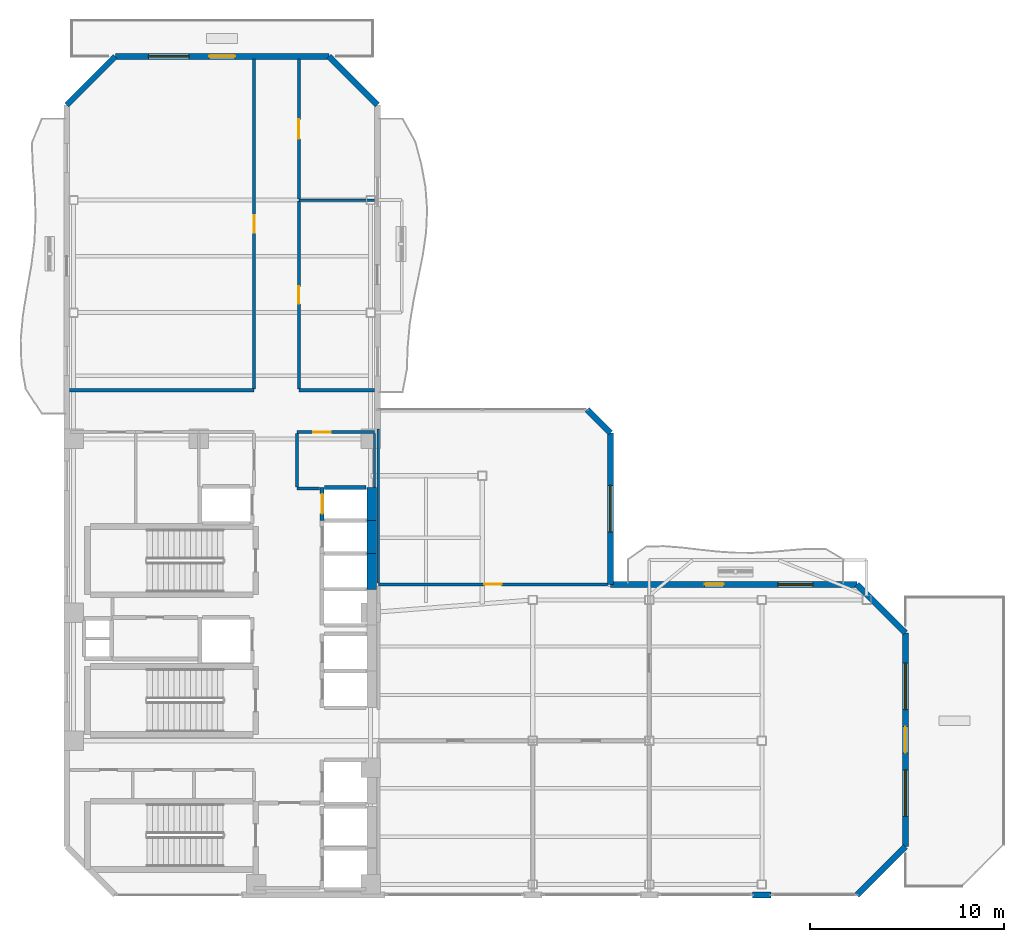
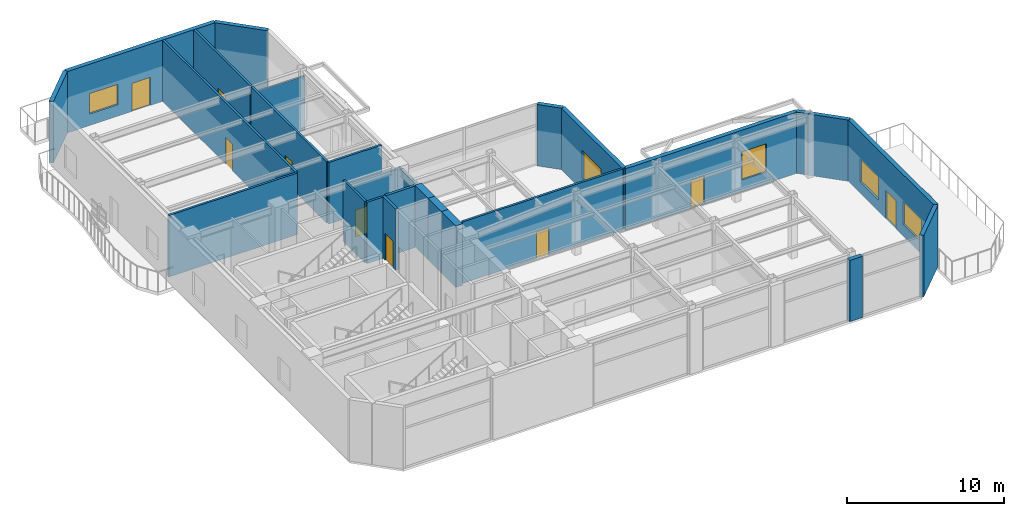
# One storey, part 12 of 16: 27 walls, 9 doors, 5 windows, 14 openings.
"""IFC4 building model written with IfcOpenShell, lengths in metres."""

from ifc_helpers import new_model, si_unit, direction, frame, frame_2d, origin, place, context, subcontext, project, spatial, rectangle, extrude, material, layer, layer_set, type_object, element, fill, save


model = new_model("IFC4")

# Units and contexts
model_context = context("Model", 3, precision=1e-05, world=origin(), true_north=direction((0.0, 1.0)))
body_context = subcontext(model_context, "Body", "Model", "MODEL_VIEW")
ifc_project = project(units=[si_unit("LENGTHUNIT", "METRE"), si_unit("AREAUNIT", "SQUARE_METRE"), si_unit("VOLUMEUNIT", "CUBIC_METRE"), si_unit("PLANEANGLEUNIT", "RADIAN"), si_unit("MASSUNIT", "GRAM", prefix="KILO")], contexts=[model_context])

# Site, building, storey
site_placement = place(None, origin())
site = spatial("IfcSite", under=ifc_project, at=site_placement, CompositionType="ELEMENT")
building_placement = place(site_placement, origin())
building = spatial("IfcBuilding", under=site, at=building_placement, Name="Mawjaban Terraces University", CompositionType="ELEMENT")
storey_placement = place(building_placement, frame((0.0, 0.0, 170.800048828125)))
storey = spatial("IfcBuildingStorey", under=building, at=storey_placement, Name="L41", CompositionType="ELEMENT", Elevation=170.800048828125)

# Walls
ifc_material_1 = material(Name="Concrete C60/75", Category="concrete")
ifc_layer_1 = layer(ifc_material_1, 0.5)
ifc_layer_set_1 = layer_set([ifc_layer_1], Name="Concrete C60/75")
wall_type_1 = type_object("IfcWallType", Name="CoreShearWall_500", PredefinedType="SHEAR", material=ifc_layer_set_1)
wall_1_placement = place(storey_placement, frame((37.699951171875, 15.75, 0.0), z_axis=(0.0, 0.0, 1.0), x_axis=(0.0, 1.0, 0.0)))
element("IfcWall", 1, at=wall_1_placement, inside=storey, type_object=wall_type_1, Name="L41 Lift OL-2 Hoistway Wall East", PredefinedType="SHEAR", context=body_context, shape_type="SweptSolid", body=[
    extrude(rectangle(XDim=1.85009765625, YDim=0.5, at=frame_2d((0.925048828125, 0.0))), origin(), (0.0, 0.0, 1.0), 4.7900390625),
])
for number, where, z_axis, x_axis, name in (
    (2, (37.699951171875, 17.60009765625, 0.0), (0.0, 0.0, 1.0), (0.0, 1.0, 0.0), "L41 Lift PL-M1 Hoistway Wall East"),
    (3, (37.699951171875, 19.300048828125, 0.0), (0.0, 0.0, 1.0), (0.0, 1.0, 0.0), "L41 Lift PL-M2 Hoistway Wall East"),
):
    element("IfcWall", number, at=place(storey_placement, frame(where, z_axis=z_axis, x_axis=x_axis)), inside=storey, type_object=wall_type_1, Name=name, PredefinedType="SHEAR", context=body_context, shape_type="SweptSolid", body=[
        extrude(rectangle(XDim=1.699951171875, YDim=0.5, at=frame_2d((0.85009765625, 0.0))), origin(), (0.0, 0.0, 1.0), 4.7900390625),
    ])
ifc_material_2 = material(Name="Fire-rated gypsum board on steel stud", Category="steel")
ifc_layer_2 = layer(ifc_material_2, 0.159912109375)
ifc_layer_set_2 = layer_set([ifc_layer_2], Name="Fire-rated gypsum board on steel stud")
wall_type_2 = type_object("IfcWallType", Name="CorridorPartition_160", PredefinedType="PARTITIONING", material=ifc_layer_set_2)
wall_2_placement = place(storey_placement, frame((31.64990234375, 26.0, 0.0), z_axis=(0.0, 0.0, 1.0), x_axis=(-1.0, 0.0, 0.0)))
element("IfcWall", 4, at=wall_2_placement, inside=storey, type_object=wall_type_2, Name="L41 North Core Cross-Corridor Partition 10", PredefinedType="PARTITIONING", context=body_context, shape_type="SweptSolid", body=[
    extrude(rectangle(XDim=9.5048828125, YDim=0.159912109375, at=frame_2d((4.75244140625, 0.0))), origin(), (0.0, 0.0, 1.0), 4.7900390625),
])
wall_3_placement = place(storey_placement, frame((35.02001953125, 20.949951171875, 0.0), z_axis=(0.0, 0.0, 1.0), x_axis=(-1.0, 0.0, 0.0)))
element("IfcWall", 5, at=wall_3_placement, inside=storey, type_object=wall_type_2, Name="L41 Passenger Lift Lobby Partition 12", PredefinedType="PARTITIONING", context=body_context, shape_type="SweptSolid", body=[
    extrude(rectangle(XDim=1.169921875, YDim=0.159912109375, at=frame_2d((0.5849609375, 0.0))), origin(), (0.0, 0.0, 1.0), 4.7900390625),
])

# Wall, opening, door
wall_4_placement = place(storey_placement, frame((37.85009765625, 23.85009765625, 0.0), z_axis=(0.0, 0.0, 1.0), x_axis=(-1.0, 0.0, 0.0)))
wall_4 = element("IfcWall", 6, at=wall_4_placement, inside=storey, type_object=wall_type_2, Name="L41 Departmental Resource Seminar Room Partition 13", PredefinedType="PARTITIONING", context=body_context, shape_type="SweptSolid", body=[
    extrude(rectangle(XDim=4.0, YDim=0.159912109375, at=frame_2d((2.0, 0.0))), origin(), (0.0, 0.0, 1.0), 4.245849609375),
])
opening_1_placement = place(wall_4_placement, frame((2.25, 0.0, 0.0)))
opening_1 = element("IfcOpeningElement", 7, at=opening_1_placement, cuts=wall_4, Name="Opening ID-090", PredefinedType="OPENING", context=body_context, shape_type="SweptSolid", body=[
    extrude(rectangle(XDim=0.89990234375, YDim=2.10009765625, at=frame_2d((0.449951171875, 1.050048828125))), frame((0.0, 0.08984375, 0.0), z_axis=(0.0, -1.0, 0.0), x_axis=(1.0, 0.0, 0.0)), (0.0, 0.0, 1.0), 0.179931640625),
])
ifc_material_3 = material(Name="Powder-coated steel frame and solid acoustic timber leaf", Category="steel")
door_type_1 = type_object("IfcDoorType", Name="OfficeDoor_900x2100", OperationType="NOTDEFINED", PredefinedType="DOOR", material=ifc_material_3)
door_1_placement = place(opening_1_placement, origin())
door_1 = element("IfcDoor", 8, at=door_1_placement, inside=storey, type_object=door_type_1, Name="L41 Departmental Resource Seminar Room Door", OperationType="SINGLE_SWING_RIGHT", OverallHeight=2.10009765625, OverallWidth=0.89990234375, PredefinedType="DOOR", context=body_context, shape_type="SweptSolid", body=[
    extrude(rectangle(XDim=0.89990234375, YDim=2.10009765625, at=frame_2d((0.449951171875, 1.050048828125))), frame((0.0, 0.02490234375, 0.0), z_axis=(0.0, -1.0, 0.0), x_axis=(1.0, 0.0, 0.0)), (0.0, 0.0, 1.0), 0.050048828125),
])
fill(opening_1, door_1)

# Wall
wall_5_placement = place(storey_placement, frame((37.85498046875, 26.0, 0.0), z_axis=(0.0, 0.0, 1.0), x_axis=(-1.0, 0.0, 0.0)))
element("IfcWall", 9, at=wall_5_placement, inside=storey, type_object=wall_type_2, Name="L41 North Core Cross-Corridor Partition 14", PredefinedType="PARTITIONING", context=body_context, shape_type="SweptSolid", body=[
    extrude(rectangle(XDim=3.905029296875, YDim=0.159912109375, at=frame_2d((1.95263671875, 0.0))), origin(), (0.0, 0.0, 1.0), 4.7900390625),
])

# Wall, opening, door
wall_6_placement = place(storey_placement, frame((38.050048828125, 16.0, 0.0), z_axis=(0.0, 0.0, 1.0), x_axis=(1.0, 0.0, 0.0)))
wall_6 = element("IfcWall", 10, at=wall_6_placement, inside=storey, type_object=wall_type_2, Name="L41 Terrace Study Salon Partition 17", PredefinedType="PARTITIONING", context=body_context, shape_type="SweptSolid", body=[
    extrude(rectangle(XDim=11.804931640625, YDim=0.159912109375, at=frame_2d((5.90234375, 0.0))), origin(), (0.0, 0.0, 1.0), 4.7900390625),
])
opening_2_placement = place(wall_6_placement, frame((5.451904296875, 0.0, 0.0)))
opening_2 = element("IfcOpeningElement", 11, at=opening_2_placement, cuts=wall_6, Name="Opening ID-090", PredefinedType="OPENING", context=body_context, shape_type="SweptSolid", body=[
    extrude(rectangle(XDim=0.89990234375, YDim=2.10009765625, at=frame_2d((0.449951171875, 1.050048828125))), frame((0.0, 0.08984375, 0.0), z_axis=(0.0, -1.0, 0.0), x_axis=(1.0, 0.0, 0.0)), (0.0, 0.0, 1.0), 0.179931640625),
])
door_2_placement = place(opening_2_placement, origin())
door_2 = element("IfcDoor", 12, at=door_2_placement, inside=storey, type_object=door_type_1, Name="L41 Terrace Study Salon Door", OperationType="SINGLE_SWING_LEFT", OverallHeight=2.10009765625, OverallWidth=0.89990234375, PredefinedType="DOOR", context=body_context, shape_type="SweptSolid", body=[
    extrude(rectangle(XDim=0.89990234375, YDim=2.10009765625, at=frame_2d((0.449951171875, 1.050048828125))), frame((0.0, 0.02490234375, 0.0), z_axis=(0.0, -1.0, 0.0), x_axis=(1.0, 0.0, 0.0)), (0.0, 0.0, 1.0), 0.050048828125),
])
fill(opening_2, door_2)

wall_7_placement = place(storey_placement, frame((31.64990234375, 43.054931640625, 0.0), z_axis=(0.0, 0.0, 1.0), x_axis=(0.0, -1.0, 0.0)))
wall_7 = element("IfcWall", 13, at=wall_7_placement, inside=storey, type_object=wall_type_2, Name="L41 Sky Lobby North Promenade Partition 26", PredefinedType="PARTITIONING", context=body_context, shape_type="SweptSolid", body=[
    extrude(rectangle(XDim=16.97998046875, YDim=0.159912109375, at=frame_2d((8.489990234375, 0.0))), origin(), (0.0, 0.0, 1.0), 4.7900390625),
])
opening_3_placement = place(wall_7_placement, frame((8.0400390625, 0.0, 0.0)))
opening_3 = element("IfcOpeningElement", 14, at=opening_3_placement, cuts=wall_7, Name="Opening ID-090", PredefinedType="OPENING", context=body_context, shape_type="SweptSolid", body=[
    extrude(rectangle(XDim=0.89990234375, YDim=2.10009765625, at=frame_2d((0.449951171875, 1.050048828125))), frame((0.0, 0.08984375, 0.0), z_axis=(0.0, -1.0, 0.0), x_axis=(1.0, 0.0, 0.0)), (0.0, 0.0, 1.0), 0.179931640625),
])
door_3_placement = place(opening_3_placement, origin())
door_3 = element("IfcDoor", 15, at=door_3_placement, inside=storey, type_object=door_type_1, Name="L41 Quiet Reading Lounge Door", OperationType="SINGLE_SWING_RIGHT", OverallHeight=2.10009765625, OverallWidth=0.89990234375, PredefinedType="DOOR", context=body_context, shape_type="SweptSolid", body=[
    extrude(rectangle(XDim=0.89990234375, YDim=2.10009765625, at=frame_2d((0.449951171875, 1.050048828125))), frame((0.0, 0.02490234375, 0.0), z_axis=(0.0, -1.0, 0.0), x_axis=(1.0, 0.0, 0.0)), (0.0, 0.0, 1.0), 0.050048828125),
])
fill(opening_3, door_3)

# Wall
wall_8_placement = place(storey_placement, frame((33.85009765625, 21.02490234375, 0.0), z_axis=(0.0, 0.0, 1.0), x_axis=(0.0, 1.0, 0.0)))
element("IfcWall", 16, at=wall_8_placement, inside=storey, type_object=wall_type_2, Name="L41 Core North Lift Lobby Partition 27", PredefinedType="PARTITIONING", context=body_context, shape_type="SweptSolid", body=[
    extrude(rectangle(XDim=2.75, YDim=0.159912109375, at=frame_2d((1.375, 0.0))), origin(), (0.0, 0.0, 1.0), 4.7900390625),
])

# Wall, opening, door
wall_9_placement = place(storey_placement, frame((33.949951171875, 26.074951171875, 0.0), z_axis=(0.0, 0.0, 1.0), x_axis=(0.0, 1.0, 0.0)))
wall_9 = element("IfcWall", 17, at=wall_9_placement, inside=storey, type_object=wall_type_2, Name="L41 Sky Lobby North Promenade Partition 28", PredefinedType="PARTITIONING", context=body_context, shape_type="SweptSolid", body=[
    extrude(rectangle(XDim=9.6669921875, YDim=0.159912109375, at=frame_2d((4.83349609375, 0.0))), origin(), (0.0, 0.0, 1.0), 4.7900390625),
])
opening_4_placement = place(wall_9_placement, frame((4.383056640625, 0.0, 0.0)))
opening_4 = element("IfcOpeningElement", 18, at=opening_4_placement, cuts=wall_9, Name="Opening ID-090", PredefinedType="OPENING", context=body_context, shape_type="SweptSolid", body=[
    extrude(rectangle(XDim=0.89990234375, YDim=2.10009765625, at=frame_2d((0.449951171875, 1.050048828125))), frame((0.0, 0.08984375, 0.0), z_axis=(0.0, -1.0, 0.0), x_axis=(1.0, 0.0, 0.0)), (0.0, 0.0, 1.0), 0.179931640625),
])
door_4_placement = place(opening_4_placement, origin())
door_4 = element("IfcDoor", 19, at=door_4_placement, inside=storey, type_object=door_type_1, Name="L41 Honours Seminar Room Door", OperationType="SINGLE_SWING_RIGHT", OverallHeight=2.10009765625, OverallWidth=0.89990234375, PredefinedType="DOOR", context=body_context, shape_type="SweptSolid", body=[
    extrude(rectangle(XDim=0.89990234375, YDim=2.10009765625, at=frame_2d((0.449951171875, 1.050048828125))), frame((0.0, 0.02490234375, 0.0), z_axis=(0.0, -1.0, 0.0), x_axis=(1.0, 0.0, 0.0)), (0.0, 0.0, 1.0), 0.050048828125),
])
fill(opening_4, door_4)

wall_10_placement = place(storey_placement, frame((33.949951171875, 35.85693359375, 0.0), z_axis=(0.0, 0.0, 1.0), x_axis=(0.0, 1.0, 0.0)))
wall_10 = element("IfcWall", 20, at=wall_10_placement, inside=storey, type_object=wall_type_2, Name="L41 Sky Lobby North Promenade Partition 29", PredefinedType="PARTITIONING", context=body_context, shape_type="SweptSolid", body=[
    extrude(rectangle(XDim=7.197998046875, YDim=0.159912109375, at=frame_2d((3.59912109375, 0.0))), origin(), (0.0, 0.0, 1.0), 4.7900390625),
])
opening_5_placement = place(wall_10_placement, frame((3.09912109375, 0.0, 0.0)))
opening_5 = element("IfcOpeningElement", 21, at=opening_5_placement, cuts=wall_10, Name="Opening ID-100", PredefinedType="OPENING", context=body_context, shape_type="SweptSolid", body=[
    extrude(rectangle(XDim=1.0, YDim=2.10009765625, at=frame_2d((0.5, 1.050048828125))), frame((0.0, 0.08984375, 0.0), z_axis=(0.0, -1.0, 0.0), x_axis=(1.0, 0.0, 0.0)), (0.0, 0.0, 1.0), 0.179931640625),
])
door_type_2 = type_object("IfcDoorType", Name="ClassroomDoor_1000x2100", OperationType="NOTDEFINED", PredefinedType="DOOR", material=ifc_material_3)
door_5_placement = place(opening_5_placement, origin())
door_5 = element("IfcDoor", 22, at=door_5_placement, inside=storey, type_object=door_type_2, Name="L41 Graduate Tutorial Room Door", OperationType="SINGLE_SWING_LEFT", OverallHeight=2.10009765625, OverallWidth=1.0, PredefinedType="DOOR", context=body_context, shape_type="SweptSolid", body=[
    extrude(rectangle(XDim=1.0, YDim=2.10009765625, at=frame_2d((0.5, 1.050048828125))), frame((0.0, 0.02490234375, 0.0), z_axis=(0.0, -1.0, 0.0), x_axis=(1.0, 0.0, 0.0)), (0.0, 0.0, 1.0), 0.050048828125),
])
fill(opening_5, door_5)

# Walls
ifc_material_4 = material(Name="Insulated terracotta rainscreen on concrete backup C40/50", Category="masonry")
ifc_layer_3 = layer(ifc_material_4, 0.300048828125)
ifc_layer_set_3 = layer_set([ifc_layer_3], Name="Insulated terracotta rainscreen on concrete backup C40/50")
wall_type_3 = type_object("IfcWallType", Name="ExtTerracottaWall_300", PredefinedType="SOLIDWALL", material=ifc_layer_set_3)
wall_11_placement = place(storey_placement, frame((57.324951171875, 0.0, 0.0), z_axis=(0.0, 0.0, 1.0), x_axis=(1.0, 0.0, 0.0)))
element("IfcWall", 23, at=wall_11_placement, inside=storey, type_object=wall_type_3, Name="L41 Exterior Terracotta Pier Wall 1.4", PredefinedType="SOLIDWALL", context=body_context, shape_type="SweptSolid", body=[
    extrude(rectangle(XDim=0.949951171875, YDim=0.300048828125, at=frame_2d((0.47509765625, 0.0))), origin(), (0.0, 0.0, 1.0), 4.7900390625),
])
wall_12_placement = place(storey_placement, frame((62.699951171875, 0.0, 0.0), z_axis=(0.0, 0.0, 1.0), x_axis=(0.707106781187, 0.707106781187, 0.0)))
element("IfcWall", 24, at=wall_12_placement, inside=storey, type_object=wall_type_3, Name="L41 Exterior Terracotta Wall 2", PredefinedType="SOLIDWALL", context=body_context, shape_type="SweptSolid", body=[
    extrude(rectangle(XDim=3.53564453125, YDim=0.300048828125, at=frame_2d((1.767822265625, 0.0))), origin(), (0.0, 0.0, 1.0), 4.7900390625),
])

# Wall, openings, door, windows
wall_13_placement = place(storey_placement, frame((65.199951171875, 2.5, 0.0), z_axis=(0.0, 0.0, 1.0), x_axis=(0.0, 1.0, 0.0)))
wall_13 = element("IfcWall", 25, at=wall_13_placement, inside=storey, type_object=wall_type_3, Name="L41 Exterior Terracotta Wall 3", PredefinedType="SOLIDWALL", context=body_context, shape_type="SweptSolid", body=[
    extrude(rectangle(XDim=11.0, YDim=0.300048828125, at=frame_2d((5.5, 0.0))), origin(), (0.0, 0.0, 1.0), 4.7900390625),
])
opening_6_placement = place(wall_13_placement, frame((4.824951171875, 0.0, 0.0)))
opening_6 = element("IfcOpeningElement", 26, at=opening_6_placement, cuts=wall_13, Name="Opening TD-135", PredefinedType="OPENING", context=body_context, shape_type="SweptSolid", body=[
    extrude(rectangle(XDim=1.35009765625, YDim=2.199951171875, at=frame_2d((0.675048828125, 1.10009765625))), frame((0.0, 0.159912109375, 0.0), z_axis=(0.0, -1.0, 0.0), x_axis=(1.0, 0.0, 0.0)), (0.0, 0.0, 1.0), 0.320068359375),
])
opening_7_placement = place(wall_13_placement, frame((1.550048828125, 0.0, 0.89990234375)))
opening_7 = element("IfcOpeningElement", 27, at=opening_7_placement, cuts=wall_13, Name="Opening W-08", PredefinedType="OPENING", context=body_context, shape_type="SweptSolid", body=[
    extrude(rectangle(XDim=2.39990234375, YDim=1.800048828125, at=frame_2d((1.199951171875, 0.89990234375))), frame((0.0, 0.159912109375, 0.0), z_axis=(0.0, -1.0, 0.0), x_axis=(1.0, 0.0, 0.0)), (0.0, 0.0, 1.0), 0.320068359375),
])
opening_8_placement = place(wall_13_placement, frame((7.050048828125, 0.0, 0.89990234375)))
opening_8 = element("IfcOpeningElement", 28, at=opening_8_placement, cuts=wall_13, Name="Opening W-08", PredefinedType="OPENING", context=body_context, shape_type="SweptSolid", body=[
    extrude(rectangle(XDim=2.39990234375, YDim=1.800048828125, at=frame_2d((1.199951171875, 0.89990234375))), frame((0.0, 0.159912109375, 0.0), z_axis=(0.0, -1.0, 0.0), x_axis=(1.0, 0.0, 0.0)), (0.0, 0.0, 1.0), 0.320068359375),
])
ifc_material_5 = material(Name="Thermally broken anodised aluminium and laminated safety glass", Category="aluminium")
door_type_3 = type_object("IfcDoorType", Name="TerraceGlazedDoor_1350x2200", OperationType="NOTDEFINED", PredefinedType="DOOR", material=ifc_material_5)
door_6_placement = place(opening_6_placement, origin())
door_6 = element("IfcDoor", 29, at=door_6_placement, inside=storey, type_object=door_type_3, Name="L41 Terrace Access Door TER-L41-EAST", OperationType="SINGLE_SWING_LEFT", OverallHeight=2.199951171875, OverallWidth=1.35009765625, PredefinedType="DOOR", context=body_context, shape_type="SweptSolid", body=[
    extrude(rectangle(XDim=1.35009765625, YDim=2.199951171875, at=frame_2d((0.675048828125, 1.10009765625))), frame((0.0, 0.02490234375, 0.0), z_axis=(0.0, -1.0, 0.0), x_axis=(1.0, 0.0, 0.0)), (0.0, 0.0, 1.0), 0.050048828125),
])
fill(opening_6, door_6)
ifc_material_6 = material(Name="Low-E solar-control double glazing in thermally broken aluminium frame", Category="aluminium")
window_type_1 = type_object("IfcWindowType", Name="Win_2400x1800", PartitioningType="SINGLE_PANEL", PredefinedType="WINDOW", material=ifc_material_6)
window_1_placement = place(opening_7_placement, origin())
window_1 = element("IfcWindow", 30, at=window_1_placement, inside=storey, type_object=window_type_1, Name="L41 Facade Window 3.1", OverallHeight=1.800048828125, OverallWidth=2.39990234375, PartitioningType="SINGLE_PANEL", PredefinedType="WINDOW", context=body_context, shape_type="SweptSolid", body=[
    extrude(rectangle(XDim=2.39990234375, YDim=1.800048828125, at=frame_2d((1.199951171875, 0.89990234375))), frame((0.0, 0.030029296875, 0.0), z_axis=(0.0, -1.0, 0.0), x_axis=(1.0, 0.0, 0.0)), (0.0, 0.0, 1.0), 0.06005859375),
])
fill(opening_7, window_1)
window_2_placement = place(opening_8_placement, origin())
window_2 = element("IfcWindow", 31, at=window_2_placement, inside=storey, type_object=window_type_1, Name="L41 Facade Window 3.2", OverallHeight=1.800048828125, OverallWidth=2.39990234375, PartitioningType="SINGLE_PANEL", PredefinedType="WINDOW", context=body_context, shape_type="SweptSolid", body=[
    extrude(rectangle(XDim=2.39990234375, YDim=1.800048828125, at=frame_2d((1.199951171875, 0.89990234375))), frame((0.0, 0.030029296875, 0.0), z_axis=(0.0, -1.0, 0.0), x_axis=(1.0, 0.0, 0.0)), (0.0, 0.0, 1.0), 0.06005859375),
])
fill(opening_8, window_2)

# Wall
wall_14_placement = place(storey_placement, frame((65.199951171875, 13.5, 0.0), z_axis=(0.0, 0.0, 1.0), x_axis=(-0.707106781187, 0.707106781187, 0.0)))
element("IfcWall", 32, at=wall_14_placement, inside=storey, type_object=wall_type_3, Name="L41 Exterior Terracotta Wall 4", PredefinedType="SOLIDWALL", context=body_context, shape_type="SweptSolid", body=[
    extrude(rectangle(XDim=3.53564453125, YDim=0.300048828125, at=frame_2d((1.767822265625, 0.0))), origin(), (0.0, 0.0, 1.0), 4.7900390625),
])

# Wall, openings, door, window
wall_15_placement = place(storey_placement, frame((62.699951171875, 16.0, 0.0), z_axis=(0.0, 0.0, 1.0), x_axis=(-1.0, 0.0, 0.0)))
wall_15 = element("IfcWall", 33, at=wall_15_placement, inside=storey, type_object=wall_type_3, Name="L41 Exterior Terracotta Wall 5", PredefinedType="SOLIDWALL", context=body_context, shape_type="SweptSolid", body=[
    extrude(rectangle(XDim=12.699951171875, YDim=0.300048828125, at=frame_2d((6.35009765625, 0.0))), origin(), (0.0, 0.0, 1.0), 4.7900390625),
])
opening_9_placement = place(wall_15_placement, frame((6.85009765625, 0.0, 0.0)))
opening_9 = element("IfcOpeningElement", 34, at=opening_9_placement, cuts=wall_15, Name="Opening BD-100", PredefinedType="OPENING", context=body_context, shape_type="SweptSolid", body=[
    extrude(rectangle(XDim=1.0, YDim=2.199951171875, at=frame_2d((0.5, 1.10009765625))), frame((0.0, 0.159912109375, 0.0), z_axis=(0.0, -1.0, 0.0), x_axis=(1.0, 0.0, 0.0)), (0.0, 0.0, 1.0), 0.320068359375),
])
opening_10_placement = place(wall_15_placement, frame((2.27490234375, 0.0, 0.89990234375)))
opening_10 = element("IfcOpeningElement", 35, at=opening_10_placement, cuts=wall_15, Name="Opening W-10", PredefinedType="OPENING", context=body_context, shape_type="SweptSolid", body=[
    extrude(rectangle(XDim=1.800048828125, YDim=2.199951171875, at=frame_2d((0.89990234375, 1.10009765625))), frame((0.0, 0.159912109375, 0.0), z_axis=(0.0, -1.0, 0.0), x_axis=(1.0, 0.0, 0.0)), (0.0, 0.0, 1.0), 0.320068359375),
])
door_type_4 = type_object("IfcDoorType", Name="BalconyGlazedDoor_1000x2200", OperationType="NOTDEFINED", PredefinedType="DOOR", material=ifc_material_5)
door_7_placement = place(opening_9_placement, origin())
door_7 = element("IfcDoor", 36, at=door_7_placement, inside=storey, type_object=door_type_4, Name="L41 Balcony Access Door inner_north", OperationType="SINGLE_SWING_RIGHT", OverallHeight=2.199951171875, OverallWidth=1.0, PredefinedType="DOOR", context=body_context, shape_type="SweptSolid", body=[
    extrude(rectangle(XDim=1.0, YDim=2.199951171875, at=frame_2d((0.5, 1.10009765625))), frame((0.0, 0.02490234375, 0.0), z_axis=(0.0, -1.0, 0.0), x_axis=(1.0, 0.0, 0.0)), (0.0, 0.0, 1.0), 0.050048828125),
])
fill(opening_9, door_7)
window_type_2 = type_object("IfcWindowType", Name="Win_1800x2200", PartitioningType="SINGLE_PANEL", PredefinedType="WINDOW", material=ifc_material_6)
window_3_placement = place(opening_10_placement, origin())
window_3 = element("IfcWindow", 37, at=window_3_placement, inside=storey, type_object=window_type_2, Name="L41 Facade Window 5.1", OverallHeight=2.199951171875, OverallWidth=1.800048828125, PartitioningType="SINGLE_PANEL", PredefinedType="WINDOW", context=body_context, shape_type="SweptSolid", body=[
    extrude(rectangle(XDim=1.800048828125, YDim=2.199951171875, at=frame_2d((0.89990234375, 1.10009765625))), frame((0.0, 0.030029296875, 0.0), z_axis=(0.0, -1.0, 0.0), x_axis=(1.0, 0.0, 0.0)), (0.0, 0.0, 1.0), 0.06005859375),
])
fill(opening_10, window_3)

# Wall, opening, window
wall_16_placement = place(storey_placement, frame((50.0, 16.0, 0.0), z_axis=(0.0, 0.0, 1.0), x_axis=(0.0, 1.0, 0.0)))
wall_16 = element("IfcWall", 38, at=wall_16_placement, inside=storey, type_object=wall_type_3, Name="L41 Exterior Terracotta Wall 6", PredefinedType="SOLIDWALL", context=body_context, shape_type="SweptSolid", body=[
    extrude(rectangle(XDim=7.800048828125, YDim=0.300048828125, at=frame_2d((3.89990234375, 0.0))), origin(), (0.0, 0.0, 1.0), 4.7900390625),
])
opening_11_placement = place(wall_16_placement, frame((2.699951171875, 0.0, 0.89990234375)))
opening_11 = element("IfcOpeningElement", 39, at=opening_11_placement, cuts=wall_16, Name="Opening W-11", PredefinedType="OPENING", context=body_context, shape_type="SweptSolid", body=[
    extrude(rectangle(XDim=2.39990234375, YDim=2.199951171875, at=frame_2d((1.199951171875, 1.10009765625))), frame((0.0, 0.159912109375, 0.0), z_axis=(0.0, -1.0, 0.0), x_axis=(1.0, 0.0, 0.0)), (0.0, 0.0, 1.0), 0.320068359375),
])
window_type_3 = type_object("IfcWindowType", Name="Win_2400x2200", PartitioningType="SINGLE_PANEL", PredefinedType="WINDOW", material=ifc_material_6)
window_4_placement = place(opening_11_placement, origin())
window_4 = element("IfcWindow", 40, at=window_4_placement, inside=storey, type_object=window_type_3, Name="L41 Facade Window 6.1", OverallHeight=2.199951171875, OverallWidth=2.39990234375, PartitioningType="SINGLE_PANEL", PredefinedType="WINDOW", context=body_context, shape_type="SweptSolid", body=[
    extrude(rectangle(XDim=2.39990234375, YDim=2.199951171875, at=frame_2d((1.199951171875, 1.10009765625))), frame((0.0, 0.030029296875, 0.0), z_axis=(0.0, -1.0, 0.0), x_axis=(1.0, 0.0, 0.0)), (0.0, 0.0, 1.0), 0.06005859375),
])
fill(opening_11, window_4)

# Walls
wall_17_placement = place(storey_placement, frame((50.0, 23.800048828125, 0.0), z_axis=(0.0, 0.0, 1.0), x_axis=(-0.707106781187, 0.707106781187, 0.0)))
element("IfcWall", 41, at=wall_17_placement, inside=storey, type_object=wall_type_3, Name="L41 Exterior Terracotta Wall 7", PredefinedType="SOLIDWALL", context=body_context, shape_type="SweptSolid", body=[
    extrude(rectangle(XDim=1.697021484375, YDim=0.300048828125, at=frame_2d((0.8486328125, 0.0))), origin(), (0.0, 0.0, 1.0), 4.7900390625),
])
wall_18_placement = place(storey_placement, frame((38.0, 40.699951171875, 0.0), z_axis=(0.0, 0.0, 1.0), x_axis=(-0.707106781187, 0.707106781187, 0.0)))
element("IfcWall", 42, at=wall_18_placement, inside=storey, type_object=wall_type_3, Name="L41 Exterior Terracotta Wall 10", PredefinedType="SOLIDWALL", context=body_context, shape_type="SweptSolid", body=[
    extrude(rectangle(XDim=3.53564453125, YDim=0.300048828125, at=frame_2d((1.767822265625, 0.0))), origin(), (0.0, 0.0, 1.0), 4.7900390625),
])

# Wall, openings, door, window
wall_19_placement = place(storey_placement, frame((35.5, 43.199951171875, 0.0), z_axis=(0.0, 0.0, 1.0), x_axis=(-1.0, 0.0, 0.0)))
wall_19 = element("IfcWall", 43, at=wall_19_placement, inside=storey, type_object=wall_type_3, Name="L41 Exterior Terracotta Wall 11", PredefinedType="SOLIDWALL", context=body_context, shape_type="SweptSolid", body=[
    extrude(rectangle(XDim=11.0, YDim=0.300048828125, at=frame_2d((5.5, 0.0))), origin(), (0.0, 0.0, 1.0), 4.7900390625),
])
opening_12_placement = place(wall_19_placement, frame((4.824951171875, 0.0, 0.0)))
opening_12 = element("IfcOpeningElement", 44, at=opening_12_placement, cuts=wall_19, Name="Opening TD-135", PredefinedType="OPENING", context=body_context, shape_type="SweptSolid", body=[
    extrude(rectangle(XDim=1.35009765625, YDim=2.199951171875, at=frame_2d((0.675048828125, 1.10009765625))), frame((0.0, 0.159912109375, 0.0), z_axis=(0.0, -1.0, 0.0), x_axis=(1.0, 0.0, 0.0)), (0.0, 0.0, 1.0), 0.320068359375),
])
opening_13_placement = place(wall_19_placement, frame((7.199951171875, 0.0, 0.89990234375)))
opening_13 = element("IfcOpeningElement", 45, at=opening_13_placement, cuts=wall_19, Name="Opening W-04", PredefinedType="OPENING", context=body_context, shape_type="SweptSolid", body=[
    extrude(rectangle(XDim=2.10009765625, YDim=1.60009765625, at=frame_2d((1.050048828125, 0.800048828125))), frame((0.0, 0.159912109375, 0.0), z_axis=(0.0, -1.0, 0.0), x_axis=(1.0, 0.0, 0.0)), (0.0, 0.0, 1.0), 0.320068359375),
])
door_8_placement = place(opening_12_placement, origin())
door_8 = element("IfcDoor", 46, at=door_8_placement, inside=storey, type_object=door_type_3, Name="L41 Terrace Access Door TER-L41-NORTH", OperationType="SINGLE_SWING_LEFT", OverallHeight=2.199951171875, OverallWidth=1.35009765625, PredefinedType="DOOR", context=body_context, shape_type="SweptSolid", body=[
    extrude(rectangle(XDim=1.35009765625, YDim=2.199951171875, at=frame_2d((0.675048828125, 1.10009765625))), frame((0.0, 0.02490234375, 0.0), z_axis=(0.0, -1.0, 0.0), x_axis=(1.0, 0.0, 0.0)), (0.0, 0.0, 1.0), 0.050048828125),
])
fill(opening_12, door_8)
window_type_4 = type_object("IfcWindowType", Name="Win_2100x1600", PartitioningType="SINGLE_PANEL", PredefinedType="WINDOW", material=ifc_material_6)
window_5_placement = place(opening_13_placement, origin())
window_5 = element("IfcWindow", 47, at=window_5_placement, inside=storey, type_object=window_type_4, Name="L41 Facade Window 11.2", OverallHeight=1.60009765625, OverallWidth=2.10009765625, PartitioningType="SINGLE_PANEL", PredefinedType="WINDOW", context=body_context, shape_type="SweptSolid", body=[
    extrude(rectangle(XDim=2.10009765625, YDim=1.60009765625, at=frame_2d((1.050048828125, 0.800048828125))), frame((0.0, 0.030029296875, 0.0), z_axis=(0.0, -1.0, 0.0), x_axis=(1.0, 0.0, 0.0)), (0.0, 0.0, 1.0), 0.06005859375),
])
fill(opening_13, window_5)

# Wall
wall_20_placement = place(storey_placement, frame((24.5, 43.199951171875, 0.0), z_axis=(0.0, 0.0, 1.0), x_axis=(-0.707106781187, -0.707106781187, 0.0)))
element("IfcWall", 48, at=wall_20_placement, inside=storey, type_object=wall_type_3, Name="L41 Exterior Terracotta Wall 12", PredefinedType="SOLIDWALL", context=body_context, shape_type="SweptSolid", body=[
    extrude(rectangle(XDim=3.53564453125, YDim=0.300048828125, at=frame_2d((1.767822265625, 0.0))), origin(), (0.0, 0.0, 1.0), 4.7900390625),
])

# Wall, opening, door
ifc_material_7 = material(Name="Concrete C40/50", Category="concrete")
ifc_layer_4 = layer(ifc_material_7, 0.199951171875)
ifc_layer_set_4 = layer_set([ifc_layer_4], Name="Concrete C40/50")
wall_type_4 = type_object("IfcWallType", Name="FireLobbyWall_200", PredefinedType="SOLIDWALL", material=ifc_layer_set_4)
wall_21_placement = place(storey_placement, frame((35.14990234375, 21.0, 0.0), z_axis=(0.0, 0.0, 1.0), x_axis=(0.0, -1.0, 0.0)))
wall_21 = element("IfcWall", 49, at=wall_21_placement, inside=storey, type_object=wall_type_4, Name="L41 Lift PL-M2 Hoistway Wall West", PredefinedType="SOLIDWALL", context=body_context, shape_type="SweptSolid", body=[
    extrude(rectangle(XDim=1.699951171875, YDim=0.199951171875, at=frame_2d((0.85009765625, 0.0))), origin(), (0.0, 0.0, 1.0), 4.7900390625),
])
opening_14_placement = place(wall_21_placement, frame((0.35009765625, 0.0, 0.0)))
opening_14 = element("IfcOpeningElement", 50, at=opening_14_placement, cuts=wall_21, Name="Opening LD-PL-M2", PredefinedType="OPENING", context=body_context, shape_type="SweptSolid", body=[
    extrude(rectangle(XDim=1.0, YDim=2.10009765625, at=frame_2d((0.5, 1.050048828125))), frame((0.0, 0.10986328125, 0.0), z_axis=(0.0, -1.0, 0.0), x_axis=(1.0, 0.0, 0.0)), (0.0, 0.0, 1.0), 0.219970703125),
])
ifc_material_8 = material(Name="Powder-coated steel frame and fire-rated steel-faced leaf", Category="steel")
door_type_5 = type_object("IfcDoorType", Name="LiftLandingSliding_1000x2100", OperationType="NOTDEFINED", PredefinedType="DOOR", material=ifc_material_8)
door_9_placement = place(opening_14_placement, origin())
door_9 = element("IfcDoor", 51, at=door_9_placement, inside=storey, type_object=door_type_5, Name="L41 Lift PL-M2 Sliding Landing Door", OperationType="DOUBLE_DOOR_SLIDING", OverallHeight=2.10009765625, OverallWidth=1.0, PredefinedType="DOOR", context=body_context, shape_type="SweptSolid", body=[
    extrude(rectangle(XDim=1.0, YDim=2.10009765625, at=frame_2d((0.5, 1.050048828125))), frame((0.0, 0.02490234375, 0.0), z_axis=(0.0, -1.0, 0.0), x_axis=(1.0, 0.0, 0.0)), (0.0, 0.0, 1.0), 0.050048828125),
])
fill(opening_14, door_9)

# Walls
wall_22_placement = place(storey_placement, frame((37.419921875, 21.0, 0.0), z_axis=(0.0, 0.0, 1.0), x_axis=(-1.0, 0.0, 0.0)))
element("IfcWall", 52, at=wall_22_placement, inside=storey, type_object=wall_type_4, Name="L41 Lift PL-M2 Hoistway Wall North", PredefinedType="SOLIDWALL", context=body_context, shape_type="SweptSolid", body=[
    extrude(rectangle(XDim=2.139892578125, YDim=0.199951171875, at=frame_2d((1.06982421875, 0.0))), origin(), (0.0, 0.0, 1.0), 4.7900390625),
])
ifc_material_9 = material(Name="Gypsum plasterboard on steel stud", Category="steel")
ifc_layer_5 = layer(ifc_material_9, 0.125)
ifc_layer_set_5 = layer_set([ifc_layer_5], Name="Gypsum plasterboard on steel stud")
wall_type_5 = type_object("IfcWallType", Name="OfficePartition_125", PredefinedType="PARTITIONING", material=ifc_layer_set_5)
wall_23_placement = place(storey_placement, frame((37.85498046875, 35.800048828125, 0.0), z_axis=(0.0, 0.0, 1.0), x_axis=(-1.0, 0.0, 0.0)))
element("IfcWall", 53, at=wall_23_placement, inside=storey, type_object=wall_type_5, Name="L41 Honours Seminar Room Partition 15", PredefinedType="PARTITIONING", context=body_context, shape_type="SweptSolid", body=[
    extrude(rectangle(XDim=3.905029296875, YDim=0.125, at=frame_2d((1.95263671875, 0.0))), origin(), (0.0, 0.0, 1.0), 4.245849609375),
])
wall_24_placement = place(storey_placement, frame((37.85009765625, 21.0, 0.0), z_axis=(0.0, 0.0, 1.0), x_axis=(0.0, 1.0, 0.0)))
element("IfcWall", 54, at=wall_24_placement, inside=storey, type_object=wall_type_5, Name="L41 Departmental Resource Seminar Room Partition 30", PredefinedType="PARTITIONING", context=body_context, shape_type="SweptSolid", body=[
    extrude(rectangle(XDim=2.77490234375, YDim=0.125, at=frame_2d((1.387451171875, 0.0))), origin(), (0.0, 0.0, 1.0), 4.245849609375),
])
wall_25_placement = place(storey_placement, frame((38.050048828125, 24.0, 0.0), z_axis=(0.0, 0.0, 1.0), x_axis=(0.0, -1.0, 0.0)))
element("IfcWall", 55, at=wall_25_placement, inside=storey, type_object=wall_type_5, Name="L41 Terrace Study Salon Partition 34", PredefinedType="PARTITIONING", context=body_context, shape_type="SweptSolid", body=[
    extrude(rectangle(XDim=7.925048828125, YDim=0.125, at=frame_2d((3.96240234375, 0.0))), origin(), (0.0, 0.0, 1.0), 4.245849609375),
])

save(model, "model.ifc")
